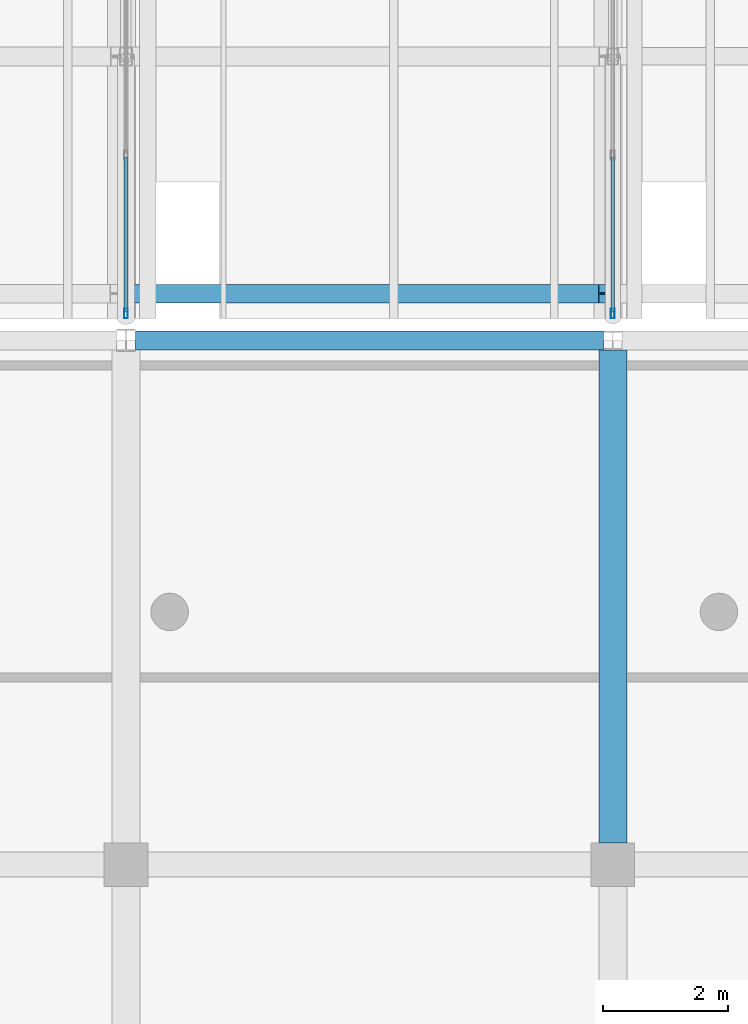
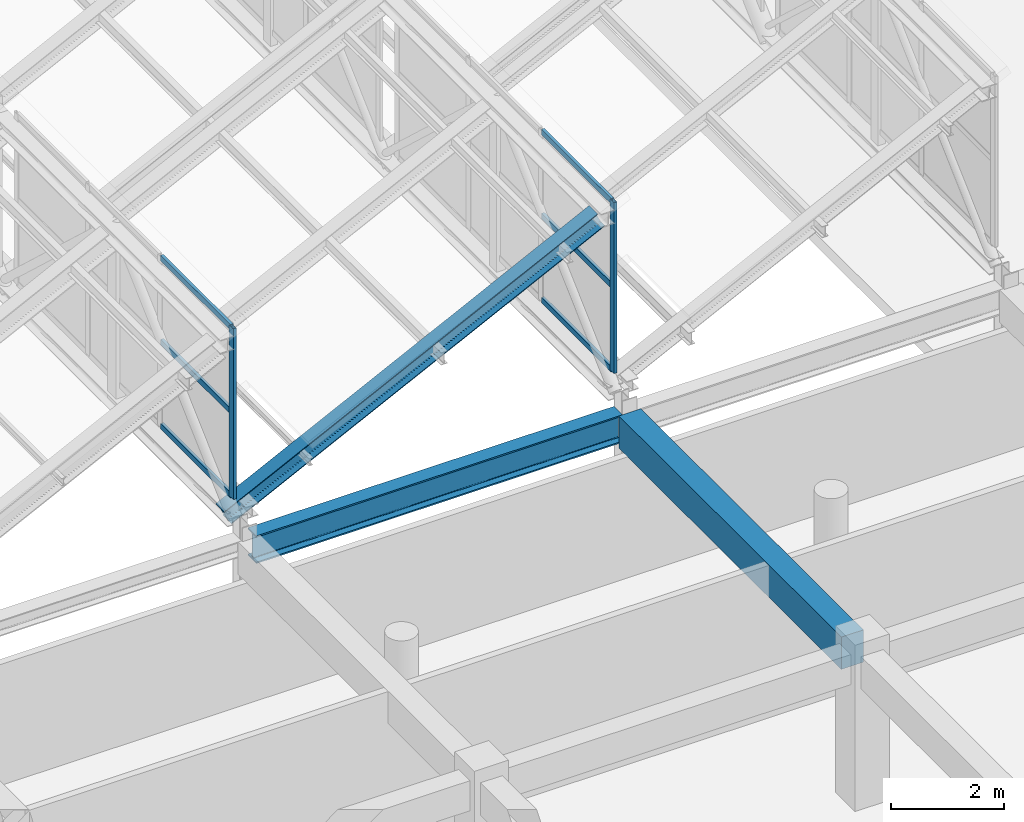
# One storey, part 14 of 101: 9 members, 2 beams, 2 elements without a shape of their own.
"""IFC4 building model written with IfcOpenShell, lengths in metres."""

from ifc_helpers import new_model, si_unit, direction, frame, origin, origin_2d, place, context, subcontext, project, spatial, rectangle, hollow_rectangle, i_section, extrude, material, layer, layer_set, material_profile, profile_set, type_object, element, aggregate, save


model = new_model("IFC4")

# Units and contexts
model_context = context("Model", 3, precision=1e-05, world=origin(), true_north=direction((0.0, 1.0)))
body_context = subcontext(model_context, "Body", "Model", "MODEL_VIEW")
ifc_project = project(units=[si_unit("LENGTHUNIT", "METRE"), si_unit("AREAUNIT", "SQUARE_METRE"), si_unit("VOLUMEUNIT", "CUBIC_METRE"), si_unit("PLANEANGLEUNIT", "RADIAN"), si_unit("MASSUNIT", "GRAM", prefix="KILO")], contexts=[model_context])

# Site, building, storey
site_placement = place(None, origin())
site = spatial("IfcSite", under=ifc_project, at=site_placement, CompositionType="ELEMENT")
building_placement = place(site_placement, origin())
building = spatial("IfcBuilding", under=site, at=building_placement, Name="Zizhar Promenade General Hospital", CompositionType="ELEMENT")
storey_placement = place(building_placement, frame((0.0, 0.0, 14.39990234375)))
storey = spatial("IfcBuildingStorey", under=building, at=storey_placement, Name="L03", CompositionType="ELEMENT", Elevation=14.39990234375)

# Beams
ifc_material_1 = material(Name="Concrete C35/45", Category="concrete")
ifc_material_profile_1 = material_profile(ifc_material_1, rectangle(XDim=0.449951171875, YDim=0.699951171875, at=origin_2d()))
ifc_profile_set_1 = profile_set([ifc_material_profile_1], Name="Concrete C35/45")
beam_type_1 = type_object("IfcBeamType", Name="BM-RC-450x700", PredefinedType="BEAM", material=ifc_profile_set_1)
beam_1_placement = place(storey_placement, frame((117.0, 17.14990234375, 2.960205078125), z_axis=(0.0, 1.0, 0.0), x_axis=(-1.0, 0.0, 0.0)))
element("IfcBeam", 1, at=beam_1_placement, inside=storey, type_object=beam_type_1, Name="Grid Beam Y L03 (15-2)", PredefinedType="BEAM", context=body_context, shape_type="SweptSolid", body=[
    extrude(rectangle(XDim=0.449951171875, YDim=0.699951171875, at=origin_2d()), origin(), (0.0, 0.0, 1.0), 7.900146484375),
])
ifc_material_2 = material(Name="Steel S355", Category="steel")
ifc_material_profile_2 = material_profile(ifc_material_2, i_section(OverallWidth=0.300048828125, OverallDepth=0.60009765625, WebThickness=0.015380859375, FlangeThickness=0.030029296875, FilletRadius=0.027099609375, at=origin_2d()))
ifc_profile_set_2 = profile_set([ifc_material_profile_2], Name="Steel S355")
beam_type_2 = type_object("IfcBeamType", Name="BM-STL-HEB600", PredefinedType="BEAM", material=ifc_profile_set_2)
beam_2_placement = place(storey_placement, frame((109.35009765625, 25.199951171875, 3.010009765625), z_axis=(1.0, 0.0, 0.0), x_axis=(0.0, 1.0, 0.0)))
element("IfcBeam", 2, at=beam_2_placement, inside=storey, type_object=beam_type_2, Name="Grid Beam X L03 (14-3)", PredefinedType="BEAM", context=body_context, shape_type="SweptSolid", body=[
    extrude(i_section(OverallWidth=0.300048828125, OverallDepth=0.60009765625, WebThickness=0.015380859375, FlangeThickness=0.030029296875, FilletRadius=0.027099609375, at=origin_2d()), origin(), (0.0, 0.0, 1.0), 7.5),
])

# Curtain wall, member
ifc_material_3 = material(Name="Anodised aluminium 6063-T6 and low-E glass", Category="aluminium")
ifc_layer = layer(ifc_material_3, 0.159912109375)
ifc_layer_set = layer_set([ifc_layer], Name="Anodised aluminium 6063-T6 and low-E glass")
curtain_wall_type = type_object("IfcCurtainWallType", Name="CW-SAW-NL1", PredefinedType="NOTDEFINED", material=ifc_layer_set)
curtain_wall_1_placement = place(storey_placement, origin())
curtain_wall_1 = element("IfcCurtainWall", 3, at=curtain_wall_1_placement, inside=storey, type_object=curtain_wall_type, Name="Sawtooth Clerestory Light B5-S1", PredefinedType="NOTDEFINED")
ifc_material_4 = material(Name="Anodised aluminium 6063-T6", Category="aluminium")
ifc_material_profile_3 = material_profile(ifc_material_4, hollow_rectangle(XDim=0.06005859375, YDim=0.14990234375, WallThickness=0.00390625, at=origin_2d()))
ifc_profile_set_3 = profile_set([ifc_material_profile_3], Name="Anodised aluminium 6063-T6")
member_type_1 = type_object("IfcMemberType", Name="CWM-ALU-150x60", PredefinedType="MULLION", material=ifc_profile_set_3)
member_1_placement = place(storey_placement, frame((109.199951171875, 25.6298828125, 3.85009765625), z_axis=(0.0, 0.0, 1.0), x_axis=(-1.0, 0.0, 0.0)))
member_1 = element("IfcMember", 4, at=member_1_placement, type_object=member_type_1, Name="CW-03 mullion 1", PredefinedType="MULLION", context=body_context, shape_type="SweptSolid", body=[
    extrude(hollow_rectangle(XDim=0.06005859375, YDim=0.14990234375, WallThickness=0.00390625, at=origin_2d()), origin(), (0.0, 0.0, 1.0), 3.699951171875),
])

curtain_wall_2_placement = place(storey_placement, origin())
curtain_wall_2 = element("IfcCurtainWall", 5, at=curtain_wall_2_placement, inside=storey, type_object=curtain_wall_type, Name="Sawtooth Clerestory Light B6-S1", PredefinedType="NOTDEFINED")
member_2_placement = place(storey_placement, frame((117.0, 25.6298828125, 3.85009765625), z_axis=(0.0, 0.0, 1.0), x_axis=(-1.0, 0.0, 0.0)))
member_2 = element("IfcMember", 6, at=member_2_placement, type_object=member_type_1, Name="CW-03 mullion 1", PredefinedType="MULLION", context=body_context, shape_type="SweptSolid", body=[
    extrude(hollow_rectangle(XDim=0.06005859375, YDim=0.14990234375, WallThickness=0.00390625, at=origin_2d()), origin(), (0.0, 0.0, 1.0), 3.699951171875),
])

# Member
ifc_material_5 = material(Name="Anodised aluminium 6063-T6", Category="aluminium")
ifc_material_profile_4 = material_profile(ifc_material_5, hollow_rectangle(XDim=0.06005859375, YDim=0.1201171875, WallThickness=0.00390625, at=origin_2d()))
ifc_profile_set_4 = profile_set([ifc_material_profile_4], Name="Anodised aluminium 6063-T6")
member_type_2 = type_object("IfcMemberType", Name="CWT-ALU-120x60", PredefinedType="USERDEFINED", material=ifc_profile_set_4)
member_3_placement = place(storey_placement, frame((109.199951171875, 25.659912109375, 3.880126953125), z_axis=(0.0, 1.0, 0.0), x_axis=(-1.0, 0.0, 0.0)))
member_3 = element("IfcMember", 7, at=member_3_placement, type_object=member_type_2, Name="CW-03 transom 1.1", ObjectType="TRANSOM", PredefinedType="USERDEFINED", context=body_context, shape_type="SweptSolid", body=[
    extrude(hollow_rectangle(XDim=0.06005859375, YDim=0.1201171875, WallThickness=0.00390625, at=origin_2d()), origin(), (0.0, 0.0, 1.0), 2.476806640625),
])

member_4_placement = place(storey_placement, frame((109.199951171875, 25.659912109375, 5.7001953125), z_axis=(0.0, 1.0, 0.0), x_axis=(-1.0, 0.0, 0.0)))
member_4 = element("IfcMember", 8, at=member_4_placement, type_object=member_type_2, Name="CW-03 transom 1.2", ObjectType="TRANSOM", PredefinedType="USERDEFINED", context=body_context, shape_type="SweptSolid", body=[
    extrude(hollow_rectangle(XDim=0.06005859375, YDim=0.1201171875, WallThickness=0.00390625, at=origin_2d()), origin(), (0.0, 0.0, 1.0), 2.476806640625),
])

member_5_placement = place(storey_placement, frame((109.199951171875, 25.659912109375, 7.52001953125), z_axis=(0.0, 1.0, 0.0), x_axis=(-1.0, 0.0, 0.0)))
member_5 = element("IfcMember", 9, at=member_5_placement, type_object=member_type_2, Name="CW-03 transom 1.3", ObjectType="TRANSOM", PredefinedType="USERDEFINED", context=body_context, shape_type="SweptSolid", body=[
    extrude(hollow_rectangle(XDim=0.06005859375, YDim=0.1201171875, WallThickness=0.00390625, at=origin_2d()), origin(), (0.0, 0.0, 1.0), 2.476806640625),
])

aggregate(curtain_wall_1, [member_1, member_3, member_4, member_5])

member_6_placement = place(storey_placement, frame((117.0, 25.659912109375, 3.880126953125), z_axis=(0.0, 1.0, 0.0), x_axis=(-1.0, 0.0, 0.0)))
member_6 = element("IfcMember", 10, at=member_6_placement, type_object=member_type_2, Name="CW-03 transom 1.1", ObjectType="TRANSOM", PredefinedType="USERDEFINED", context=body_context, shape_type="SweptSolid", body=[
    extrude(hollow_rectangle(XDim=0.06005859375, YDim=0.1201171875, WallThickness=0.00390625, at=origin_2d()), origin(), (0.0, 0.0, 1.0), 2.476806640625),
])

member_7_placement = place(storey_placement, frame((117.0, 25.659912109375, 5.7001953125), z_axis=(0.0, 1.0, 0.0), x_axis=(-1.0, 0.0, 0.0)))
member_7 = element("IfcMember", 11, at=member_7_placement, type_object=member_type_2, Name="CW-03 transom 1.2", ObjectType="TRANSOM", PredefinedType="USERDEFINED", context=body_context, shape_type="SweptSolid", body=[
    extrude(hollow_rectangle(XDim=0.06005859375, YDim=0.1201171875, WallThickness=0.00390625, at=origin_2d()), origin(), (0.0, 0.0, 1.0), 2.476806640625),
])

member_8_placement = place(storey_placement, frame((117.0, 25.659912109375, 7.52001953125), z_axis=(0.0, 1.0, 0.0), x_axis=(-1.0, 0.0, 0.0)))
member_8 = element("IfcMember", 12, at=member_8_placement, type_object=member_type_2, Name="CW-03 transom 1.3", ObjectType="TRANSOM", PredefinedType="USERDEFINED", context=body_context, shape_type="SweptSolid", body=[
    extrude(hollow_rectangle(XDim=0.06005859375, YDim=0.1201171875, WallThickness=0.00390625, at=origin_2d()), origin(), (0.0, 0.0, 1.0), 2.476806640625),
])

aggregate(curtain_wall_2, [member_2, member_6, member_7, member_8])

ifc_material_6 = material(Name="Steel S355", Category="steel")
ifc_material_profile_5 = material_profile(ifc_material_6, i_section(OverallWidth=0.300048828125, OverallDepth=0.35009765625, WebThickness=0.010009765625, FlangeThickness=0.017578125, FilletRadius=0.027099609375, at=origin_2d()))
ifc_profile_set_5 = profile_set([ifc_material_profile_5], Name="Steel S355")
member_type_3 = type_object("IfcMemberType", Name="MEM-RAFT-HEA360", PredefinedType="RAFTER", material=ifc_profile_set_5)
member_9_placement = place(storey_placement, frame((109.199951171875, 25.949951171875, 3.298095703125), z_axis=(0.896721845806, 0.0, 0.442594544989), x_axis=(0.0, 1.0, 0.0)))
element("IfcMember", 13, at=member_9_placement, inside=storey, type_object=member_type_3, Name="Sawtooth Bay 6 Rafter 1-1", PredefinedType="RAFTER", context=body_context, shape_type="SweptSolid", body=[
    extrude(i_section(OverallWidth=0.300048828125, OverallDepth=0.35009765625, WebThickness=0.010009765625, FlangeThickness=0.017578125, FilletRadius=0.027099609375, at=origin_2d()), origin(), (0.0, 0.0, 1.0), 8.53125),
])

save(model, "model.ifc")
